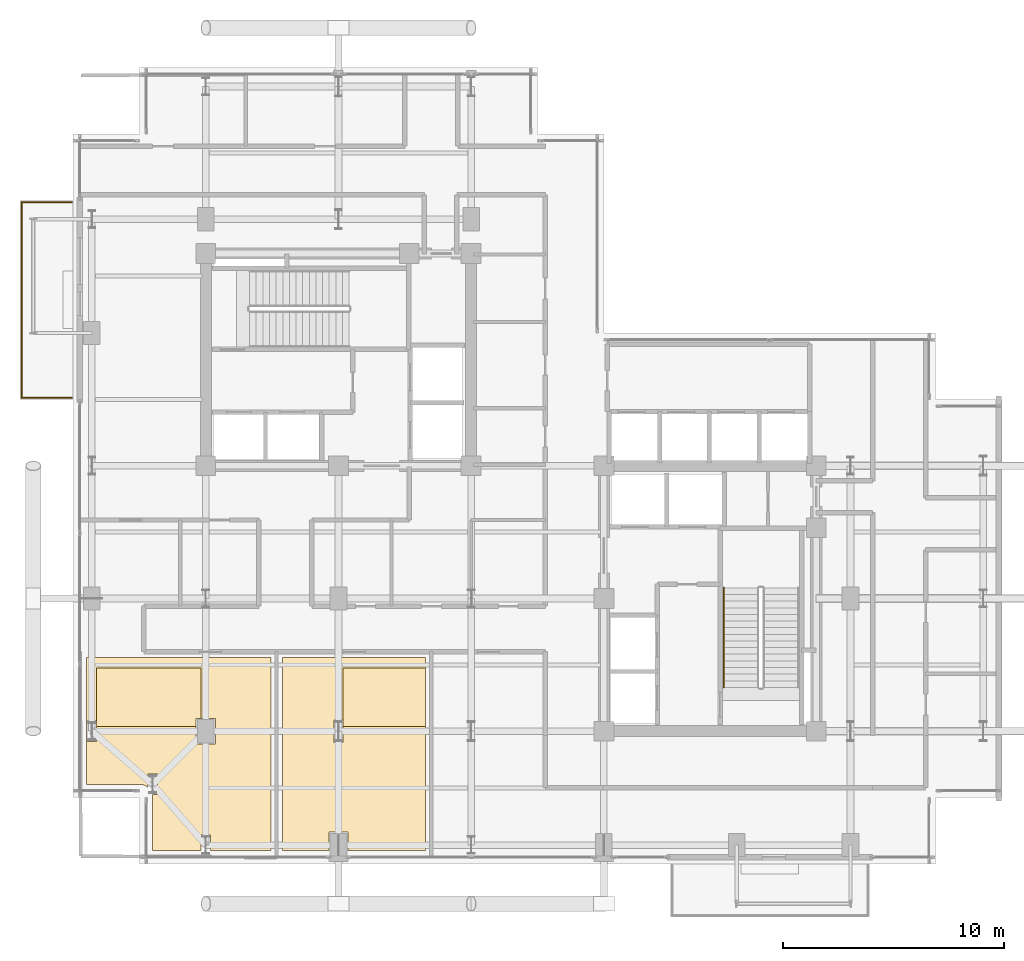
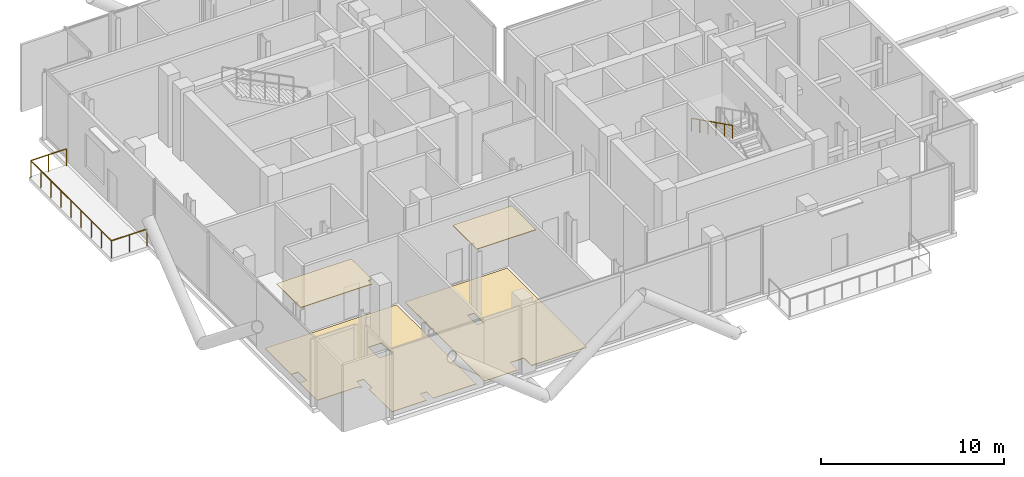
# One storey, part 20 of 22: 4 coverings, 2 railings.
"""IFC4 building model written with IfcOpenShell, lengths in metres."""

from ifc_helpers import new_model, si_unit, direction, frame, origin, origin_2d, place, context, subcontext, project, spatial, polyline, rectangle, outline, extrude, material, layer, layer_set, type_object, element, save


model = new_model("IFC4")

# Units and contexts
model_context = context("Model", 3, precision=1e-05, world=origin(), true_north=direction((0.0, 1.0)))
body_context = subcontext(model_context, "Body", "Model", "MODEL_VIEW")
ifc_project = project(units=[si_unit("LENGTHUNIT", "METRE"), si_unit("AREAUNIT", "SQUARE_METRE"), si_unit("VOLUMEUNIT", "CUBIC_METRE"), si_unit("PLANEANGLEUNIT", "RADIAN"), si_unit("MASSUNIT", "GRAM", prefix="KILO"), si_unit("THERMODYNAMICTEMPERATUREUNIT", "KELVIN"), si_unit("POWERUNIT", "WATT")], contexts=[model_context])

# Site, building, storey
site_placement = place(None, origin())
site = spatial("IfcSite", under=ifc_project, at=site_placement, CompositionType="ELEMENT")
building_placement = place(site_placement, origin())
building = spatial("IfcBuilding", under=site, at=building_placement, Name="Svarakhadi Broadcast Tower", CompositionType="ELEMENT")
storey_placement = place(building_placement, frame((0.0, 0.0, 199.199951171875)))
storey = spatial("IfcBuildingStorey", under=building, at=storey_placement, Name="L49", CompositionType="ELEMENT", Elevation=199.199951171875)

# Coverings
ifc_material_1 = material(Name="Anodised Bronze Aluminium Linear Acoustic Baffle", Category="aluminium")
ifc_layer_1 = layer(ifc_material_1, 0.044921875)
ifc_layer_set_1 = layer_set([ifc_layer_1], Name="Anodised Bronze Aluminium Linear Acoustic Baffle")
covering_type_1 = type_object("IfcCoveringType", Name="Cov_Ceiling_Baffle", PredefinedType="CEILING", material=ifc_layer_set_1)
covering_1_placement = place(storey_placement, frame((0.0, 0.0, 4.455078125)))
element("IfcCovering", 1, at=covering_1_placement, inside=storey, type_object=covering_type_1, Name="L49 L49 Upper Sky-Lobby Harbour Observation Lounge Acoustic Ceiling", PredefinedType="CEILING", context=body_context, shape_type="SweptSolid", body=[
    extrude(outline(polyline([(5.56494140625, 6.2099609375), (3.81005859375, 6.2099609375), (3.389892578125, 6.2099609375), (1.06005859375, 6.2099609375), (1.06005859375, 6.4599609375), (1.06005859375, 8.85009765625), (5.7900390625, 8.85009765625), (5.7900390625, 6.5849609375), (5.56494140625, 6.5849609375), (5.56494140625, 6.2099609375)])), origin(), (0.0, 0.0, 1.0), 0.044921875),
])
covering_2_placement = place(storey_placement, frame((0.0, 0.0, 4.455078125)))
element("IfcCovering", 2, at=covering_2_placement, inside=storey, type_object=covering_type_1, Name="L49 L49 Horizon Fine Dining Restaurant Acoustic Ceiling", PredefinedType="CEILING", context=body_context, shape_type="SweptSolid", body=[
    extrude(outline(polyline([(15.93994140625, 6.2099609375), (12.2099609375, 6.2099609375), (12.2099609375, 6.510009765625), (12.2099609375, 8.85009765625), (15.93994140625, 8.85009765625), (15.93994140625, 6.2099609375)])), origin(), (0.0, 0.0, 1.0), 0.044921875),
])
ifc_material_2 = material(Name="Honed Konkan Basalt Stone Tile Flooring", Category="masonry")
ifc_layer_2 = layer(ifc_material_2, 0.034912109375)
ifc_layer_set_2 = layer_set([ifc_layer_2], Name="Honed Konkan Basalt Stone Tile Flooring")
covering_type_2 = type_object("IfcCoveringType", Name="Cov_Floor_Basalt", PredefinedType="FLOORING", material=ifc_layer_set_2)
covering_3_placement = place(storey_placement, origin())
element("IfcCovering", 3, at=covering_3_placement, inside=storey, type_object=covering_type_2, Name="L49 L49 Horizon Fine Dining Restaurant Floor Finish", PredefinedType="FLOORING", context=body_context, shape_type="SweptSolid", body=[
    extrude(outline(polyline([(15.93994140625, 9.340087890625), (15.93994140625, 0.610107421875), (12.43505859375, 0.610107421875), (12.43505859375, 1.43505859375), (11.56494140625, 1.43505859375), (11.56494140625, 0.610107421875), (9.4599609375, 0.610107421875), (9.4599609375, 9.340087890625), (15.93994140625, 9.340087890625)]), holes=[polyline([(11.7900390625, 5.489990234375), (12.2099609375, 5.489990234375), (12.2099609375, 6.510009765625), (11.7900390625, 6.510009765625), (11.7900390625, 5.489990234375)])]), origin(), (0.0, 0.0, 1.0), 0.03515625),
])
ifc_material_3 = material(Name="Polished White Marble-Chip Terrazzo Flooring", Category="masonry")
ifc_layer_3 = layer(ifc_material_3, 0.030029296875)
ifc_layer_set_3 = layer_set([ifc_layer_3], Name="Polished White Marble-Chip Terrazzo Flooring")
covering_type_3 = type_object("IfcCoveringType", Name="Cov_Floor_Terrazzo", PredefinedType="FLOORING", material=ifc_layer_set_3)
covering_4_placement = place(storey_placement, origin())
element("IfcCovering", 4, at=covering_4_placement, inside=storey, type_object=covering_type_3, Name="L49 L49 Upper Sky-Lobby Harbour Observation Lounge Floor Finish", PredefinedType="FLOORING", context=body_context, shape_type="SweptSolid", body=[
    extrude(outline(polyline([(8.93994140625, 0.610107421875), (6.2099609375, 0.610107421875), (6.2099609375, 1.31005859375), (5.7900390625, 1.31005859375), (5.7900390625, 0.610107421875), (3.60009765625, 0.610107421875), (3.60009765625, 3.0), (3.60009765625, 3.009033203125), (3.597900390625, 3.050048828125), (3.595947265625, 3.06689453125), (3.590087890625, 3.10791015625), (3.5869140625, 3.1259765625), (3.5830078125, 3.139892578125), (3.81005859375, 3.139892578125), (3.81005859375, 4.06005859375), (3.389892578125, 4.06005859375), (3.389892578125, 3.4560546875), (3.386962890625, 3.458984375), (3.3720703125, 3.470947265625), (3.339111328125, 3.4951171875), (3.325927734375, 3.5029296875), (3.291015625, 3.52392578125), (3.277099609375, 3.531982421875), (3.239990234375, 3.550048828125), (3.221923828125, 3.556884765625), (3.18310546875, 3.571044921875), (3.166015625, 3.576904296875), (3.1259765625, 3.5869140625), (3.10791015625, 3.590087890625), (3.06689453125, 3.595947265625), (3.050048828125, 3.597900390625), (3.009033203125, 3.60009765625), (3.0, 3.60009765625), (0.610107421875, 3.60009765625), (0.610107421875, 9.340087890625), (8.93994140625, 9.340087890625), (8.93994140625, 0.610107421875)]), holes=[polyline([(1.06005859375, 5.5400390625), (1.06005859375, 6.4599609375), (0.639892578125, 6.4599609375), (0.639892578125, 5.5400390625), (1.06005859375, 5.5400390625)]), polyline([(5.56494140625, 5.4150390625), (6.43505859375, 5.4150390625), (6.43505859375, 6.5849609375), (5.56494140625, 6.5849609375), (5.56494140625, 5.4150390625)])]), origin(), (0.0, 0.0, 1.0), 0.030029296875),
])

# Railings
ifc_material_4 = material(Name="Laminated Structural SentryGlas Balustrade 25.5 mm", Category="glass")
railing_type_1 = type_object("IfcRailingType", Name="Guard_Balcony_GR01", PredefinedType="BALUSTRADE", material=ifc_material_4)
railing_1_placement = place(storey_placement, frame((-0.06005859375, 21.080078125, 0.0)))
element("IfcRailing", 5, at=railing_1_placement, inside=storey, type_object=railing_type_1, Name="L49 West Tree Balcony Guard GR-05", PredefinedType="BALUSTRADE", context=body_context, shape_type="SweptSolid", body=[
    extrude(rectangle(XDim=0.048095703125, YDim=0.048095703125, at=origin_2d()), frame((0.0, 0.0, 1.1259765625), z_axis=(-1.0, 0.0, 0.0), x_axis=(0.0, -1.0, 0.0)), (0.0, 0.0, 1.0), 2.260009765625),
    extrude(rectangle(XDim=0.048095703125, YDim=0.048095703125, at=origin_2d()), frame((-2.260009765625, 0.0, 1.1259765625), z_axis=(0.0, 1.0, 0.0), x_axis=(-1.0, 0.0, 0.0)), (0.0, 0.0, 1.0), 8.83984375),
    extrude(rectangle(XDim=0.048095703125, YDim=0.048095703125, at=origin_2d()), frame((-2.260009765625, 8.83984375, 1.1259765625), z_axis=(1.0, 0.0, 0.0), x_axis=(0.0, 1.0, 0.0)), (0.0, 0.0, 1.0), 2.260009765625),
    extrude(rectangle(XDim=0.0419921875, YDim=0.0419921875, at=origin_2d()), origin(), (0.0, 0.0, 1.0), 1.101806640625),
    extrude(rectangle(XDim=0.0419921875, YDim=0.0419921875, at=origin_2d()), frame((-1.1298828125, 0.0, 0.0)), (0.0, 0.0, 1.0), 1.101806640625),
    extrude(rectangle(XDim=0.0419921875, YDim=0.0419921875, at=origin_2d()), frame((-2.260009765625, 0.0, 0.0)), (0.0, 0.0, 1.0), 1.101806640625),
    extrude(rectangle(XDim=0.0419921875, YDim=0.0419921875, at=origin_2d()), frame((-2.260009765625, 1.10498046875, 0.0)), (0.0, 0.0, 1.0), 1.101806640625),
    extrude(rectangle(XDim=0.0419921875, YDim=0.0419921875, at=origin_2d()), frame((-2.260009765625, 2.2099609375, 0.0)), (0.0, 0.0, 1.0), 1.101806640625),
    extrude(rectangle(XDim=0.0419921875, YDim=0.0419921875, at=origin_2d()), frame((-2.260009765625, 3.31494140625, 0.0)), (0.0, 0.0, 1.0), 1.101806640625),
    extrude(rectangle(XDim=0.0419921875, YDim=0.0419921875, at=origin_2d()), frame((-2.260009765625, 4.419921875, 0.0)), (0.0, 0.0, 1.0), 1.101806640625),
    extrude(rectangle(XDim=0.0419921875, YDim=0.0419921875, at=origin_2d()), frame((-2.260009765625, 5.52490234375, 0.0)), (0.0, 0.0, 1.0), 1.101806640625),
    extrude(rectangle(XDim=0.0419921875, YDim=0.0419921875, at=origin_2d()), frame((-2.260009765625, 6.6298828125, 0.0)), (0.0, 0.0, 1.0), 1.101806640625),
    extrude(rectangle(XDim=0.0419921875, YDim=0.0419921875, at=origin_2d()), frame((-2.260009765625, 7.73486328125, 0.0)), (0.0, 0.0, 1.0), 1.101806640625),
    extrude(rectangle(XDim=0.0419921875, YDim=0.0419921875, at=origin_2d()), frame((-2.260009765625, 8.83984375, 0.0)), (0.0, 0.0, 1.0), 1.101806640625),
    extrude(rectangle(XDim=0.0419921875, YDim=0.0419921875, at=origin_2d()), frame((-1.1298828125, 8.83984375, 0.0)), (0.0, 0.0, 1.0), 1.101806640625),
    extrude(rectangle(XDim=0.0419921875, YDim=0.0419921875, at=origin_2d()), frame((0.0, 8.83984375, 0.0)), (0.0, 0.0, 1.0), 1.101806640625),
])
ifc_material_5 = material(Name="Anodised Bronze Aluminium AA 6063-T6", Category="aluminium")
railing_type_2 = type_object("IfcRailingType", Name="Handrail_Stair_HR01", PredefinedType="HANDRAIL", material=ifc_material_5)
railing_2_placement = place(storey_placement, frame((29.409912109375, 12.47998046875, 2.550048828125)))
element("IfcRailing", 6, at=railing_2_placement, inside=storey, type_object=railing_type_2, Name="L49 ST-02 stair handrail 2", PredefinedType="HANDRAIL", context=body_context, shape_type="SweptSolid", body=[
    extrude(rectangle(XDim=0.048095703125, YDim=0.048095703125, at=origin_2d()), frame((0.0, 0.0, 0.8759765625), z_axis=(0.0, -0.894427191, 0.4472135955), x_axis=(1.0, 0.0, 0.0)), (0.0, 0.0, 1.0), 5.03125),
    extrude(rectangle(XDim=0.0419921875, YDim=0.0419921875, at=origin_2d()), origin(), (0.0, 0.0, 1.0), 0.851806640625),
    extrude(rectangle(XDim=0.0419921875, YDim=0.0419921875, at=origin_2d()), frame((0.0, -0.89990234375, 0.449951171875)), (0.0, 0.0, 1.0), 0.851806640625),
    extrude(rectangle(XDim=0.0419921875, YDim=0.0419921875, at=origin_2d()), frame((0.0, -1.800048828125, 0.89990234375)), (0.0, 0.0, 1.0), 0.851806640625),
    extrude(rectangle(XDim=0.0419921875, YDim=0.0419921875, at=origin_2d()), frame((0.0, -2.699951171875, 1.35009765625)), (0.0, 0.0, 1.0), 0.851806640625),
    extrude(rectangle(XDim=0.0419921875, YDim=0.0419921875, at=origin_2d()), frame((0.0, -3.60009765625, 1.800048828125)), (0.0, 0.0, 1.0), 0.851806640625),
    extrude(rectangle(XDim=0.0419921875, YDim=0.0419921875, at=origin_2d()), frame((0.0, -4.5, 2.25)), (0.0, 0.0, 1.0), 0.851806640625),
])

save(model, "model.ifc")
